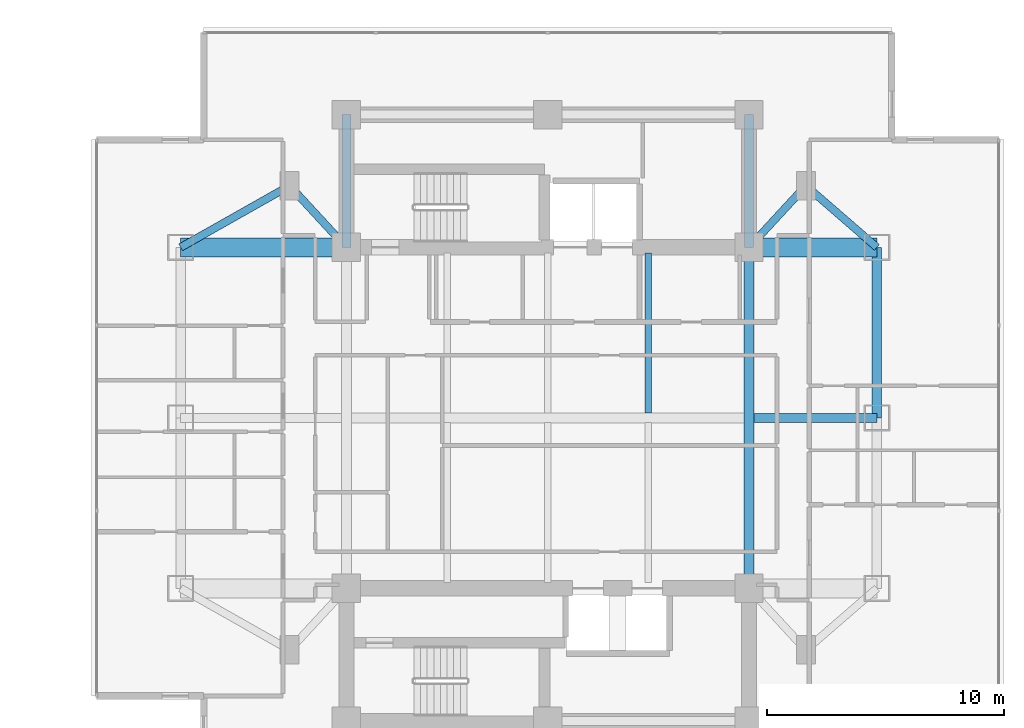
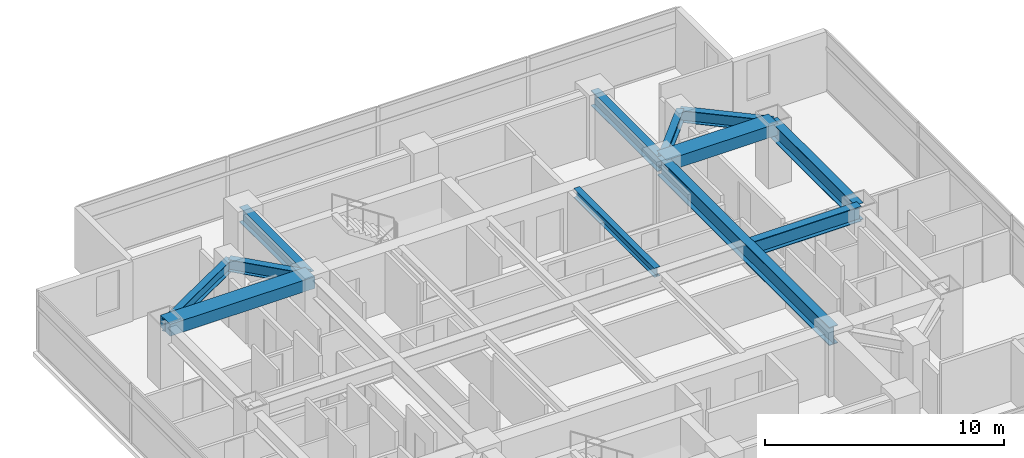
# One storey, part 10 of 26: 12 beams.
"""IFC4 building model written with IfcOpenShell, lengths in metres."""

from ifc_helpers import new_model, si_unit, direction, frame, origin, origin_2d, place, context, subcontext, project, spatial, rectangle, i_section, extrude, material, material_profile, profile_set, type_object, element, save


model = new_model("IFC4")

# Units and contexts
model_context = context("Model", 3, precision=1e-05, world=origin(), true_north=direction((0.0, 1.0)))
body_context = subcontext(model_context, "Body", "Model", "MODEL_VIEW")
ifc_project = project(units=[si_unit("LENGTHUNIT", "METRE"), si_unit("AREAUNIT", "SQUARE_METRE"), si_unit("VOLUMEUNIT", "CUBIC_METRE"), si_unit("PLANEANGLEUNIT", "RADIAN"), si_unit("MASSUNIT", "GRAM", prefix="KILO")], contexts=[model_context])

# Site, building, storey
site_placement = place(None, origin())
site = spatial("IfcSite", under=ifc_project, at=site_placement, CompositionType="ELEMENT")
building_placement = place(site_placement, origin())
building = spatial("IfcBuilding", under=site, at=building_placement, Name="Mirazonda Arch Towers", CompositionType="ELEMENT")
storey_placement = place(building_placement, frame((0.0, 0.0, 114.800048828125)))
storey = spatial("IfcBuildingStorey", under=building, at=storey_placement, Name="L32", CompositionType="ELEMENT", Elevation=114.800048828125)

# Beams
ifc_material_1 = material(Name="Steel ASTM A992 Grade 50", Category="steel")
ifc_material_profile_1 = material_profile(ifc_material_1, i_section(OverallWidth=0.39990234375, OverallDepth=0.85595703125, WebThickness=0.018310546875, FlangeThickness=0.029296875, at=origin_2d()), Name="W33X201")
ifc_profile_set_1 = profile_set([ifc_material_profile_1], Name="Steel ASTM A992 Grade 50")
beam_type_1 = type_object("IfcBeamType", Name="BM-EXT-W33X201", PredefinedType="USERDEFINED", material=ifc_profile_set_1)
beam_1_placement = place(storey_placement, frame((90.39990234375, 28.0, 2.65185546875), z_axis=(0.0, 1.0, 0.0), x_axis=(-1.0, 0.0, 0.0)))
element("IfcBeam", 1, at=beam_1_placement, inside=storey, type_object=beam_type_1, Name="L32 Floor Beam BM-T2-L32-NS-E-28", ObjectType="GIRDER", PredefinedType="USERDEFINED", context=body_context, shape_type="SweptSolid", body=[
    extrude(i_section(OverallWidth=0.39990234375, OverallDepth=0.85595703125, WebThickness=0.018310546875, FlangeThickness=0.029296875, at=origin_2d()), origin(), (0.0, 0.0, 1.0), 7.199951171875),
])
ifc_material_profile_2 = material_profile(ifc_material_1, i_section(OverallWidth=0.280029296875, OverallDepth=0.462890625, WebThickness=0.0107421875, FlangeThickness=0.017333984375, at=origin_2d()), Name="W18X76")
ifc_profile_set_2 = profile_set([ifc_material_profile_2], Name="Steel ASTM A992 Grade 50")
beam_type_2 = type_object("IfcBeamType", Name="BM-INT-W18X76", PredefinedType="JOIST", material=ifc_profile_set_2)
beam_2_placement = place(storey_placement, frame((80.75, 28.205078125, 2.848388671875), z_axis=(0.0, 1.0, 0.0), x_axis=(-1.0, 0.0, 0.0)))
element("IfcBeam", 2, at=beam_2_placement, inside=storey, type_object=beam_type_2, Name="L32 Floor Beam BM-T2-L32-J-807-28", PredefinedType="JOIST", context=body_context, shape_type="SweptSolid", body=[
    extrude(i_section(OverallWidth=0.280029296875, OverallDepth=0.462890625, WebThickness=0.0107421875, FlangeThickness=0.017333984375, at=origin_2d()), origin(), (0.0, 0.0, 1.0), 6.7548828125),
])
ifc_material_profile_3 = material_profile(ifc_material_1, i_section(OverallWidth=0.324951171875, OverallDepth=0.615966796875, WebThickness=0.013916015625, FlangeThickness=0.021484375, at=origin_2d()), Name="W24X117")
ifc_profile_set_3 = profile_set([ifc_material_profile_3], Name="Steel ASTM A992 Grade 50")
beam_type_3 = type_object("IfcBeamType", Name="BM-INT-W24X117", PredefinedType="BEAM", material=ifc_profile_set_3)
beam_3_placement = place(storey_placement, frame((65.60009765625, 37.800048828125, 2.77197265625), z_axis=(0.678251444854, -0.734829897019, 0.0), x_axis=(0.734829897019, 0.678251444854, 0.0)))
element("IfcBeam", 3, at=beam_3_placement, inside=storey, type_object=beam_type_3, Name="L32 Floor Beam BM-T2-L32-PL-NW1", PredefinedType="BEAM", context=body_context, shape_type="SweptSolid", body=[
    extrude(i_section(OverallWidth=0.324951171875, OverallDepth=0.615966796875, WebThickness=0.013916015625, FlangeThickness=0.021484375, at=origin_2d()), origin(), (0.0, 0.0, 1.0), 3.538330078125),
])
beam_4_placement = place(storey_placement, frame((65.60009765625, 37.800048828125, 2.77197265625), z_axis=(-0.870559396632, -0.492063346467, 0.0), x_axis=(0.492063346467, -0.870559396632, 0.0)))
element("IfcBeam", 4, at=beam_4_placement, inside=storey, type_object=beam_type_3, Name="L32 Floor Beam BM-T2-L32-PL-NW2", PredefinedType="BEAM", context=body_context, shape_type="SweptSolid", body=[
    extrude(i_section(OverallWidth=0.324951171875, OverallDepth=0.615966796875, WebThickness=0.013916015625, FlangeThickness=0.021484375, at=origin_2d()), origin(), (0.0, 0.0, 1.0), 5.2841796875),
])
beam_5_placement = place(storey_placement, frame((87.39990234375, 37.800048828125, 2.77197265625), z_axis=(-0.678251444854, -0.734829897019, 0.0), x_axis=(0.734829897019, -0.678251444854, 0.0)))
element("IfcBeam", 5, at=beam_5_placement, inside=storey, type_object=beam_type_3, Name="L32 Floor Beam BM-T2-L32-PL-NE1", PredefinedType="BEAM", context=body_context, shape_type="SweptSolid", body=[
    extrude(i_section(OverallWidth=0.324951171875, OverallDepth=0.615966796875, WebThickness=0.013916015625, FlangeThickness=0.021484375, at=origin_2d()), origin(), (0.0, 0.0, 1.0), 3.538330078125),
])
beam_6_placement = place(storey_placement, frame((87.39990234375, 37.800048828125, 2.77197265625), z_axis=(0.755676908098, -0.654944585876, 0.0), x_axis=(0.654944585876, 0.755676908098, 0.0)))
element("IfcBeam", 6, at=beam_6_placement, inside=storey, type_object=beam_type_3, Name="L32 Floor Beam BM-T2-L32-PL-NE2", PredefinedType="BEAM", context=body_context, shape_type="SweptSolid", body=[
    extrude(i_section(OverallWidth=0.324951171875, OverallDepth=0.615966796875, WebThickness=0.013916015625, FlangeThickness=0.021484375, at=origin_2d()), origin(), (0.0, 0.0, 1.0), 3.969970703125),
])
ifc_material_profile_4 = material_profile(ifc_material_1, i_section(OverallWidth=0.381103515625, OverallDepth=0.77294921875, WebThickness=0.0166015625, FlangeThickness=0.027099609375, at=origin_2d()), Name="W30X173")
ifc_profile_set_4 = profile_set([ifc_material_profile_4], Name="Steel ASTM A992 Grade 50")
beam_type_4 = type_object("IfcBeamType", Name="BM-INT-W30X173", PredefinedType="USERDEFINED", material=ifc_profile_set_4)
for number, where, z_axis, x_axis, name in (
    (7, (68.0, 35.199951171875, 2.693359375), (0.0, 1.0, 0.0), (-1.0, 0.0, 0.0), "L32 Floor Beam BM-T2-L32-CNW"),
    (8, (85.0, 35.199951171875, 2.693359375), (0.0, 1.0, 0.0), (-1.0, 0.0, 0.0), "L32 Floor Beam BM-T2-L32-CNE"),
):
    element("IfcBeam", number, at=place(storey_placement, frame(where, z_axis=z_axis, x_axis=x_axis)), inside=storey, type_object=beam_type_4, Name=name, ObjectType="GIRDER", PredefinedType="USERDEFINED", context=body_context, shape_type="SweptSolid", body=[
        extrude(i_section(OverallWidth=0.381103515625, OverallDepth=0.77294921875, WebThickness=0.0166015625, FlangeThickness=0.027099609375, at=origin_2d()), origin(), (0.0, 0.0, 1.0), 5.60009765625),
    ])
beam_7_placement = place(storey_placement, frame((85.208984375, 28.0, 2.693359375), z_axis=(1.0, 0.0, 0.0), x_axis=(0.0, 1.0, 0.0)))
element("IfcBeam", 9, at=beam_7_placement, inside=storey, type_object=beam_type_4, Name="L32 Floor Beam BM-T2-L32-GE2", ObjectType="GIRDER", PredefinedType="USERDEFINED", context=body_context, shape_type="SweptSolid", body=[
    extrude(i_section(OverallWidth=0.381103515625, OverallDepth=0.77294921875, WebThickness=0.0166015625, FlangeThickness=0.027099609375, at=origin_2d()), origin(), (0.0, 0.0, 1.0), 5.19091796875),
])
ifc_material_profile_5 = material_profile(ifc_material_1, i_section(OverallWidth=0.41796875, OverallDepth=0.927001953125, WebThickness=0.019287109375, FlangeThickness=0.031982421875, at=origin_2d()), Name="W36X231")
ifc_profile_set_5 = profile_set([ifc_material_profile_5], Name="Steel ASTM A992 Grade 50")
beam_type_5 = type_object("IfcBeamType", Name="BM-INT-W36X231", PredefinedType="USERDEFINED", material=ifc_profile_set_5)
beam_8_placement = place(storey_placement, frame((85.0, 20.800048828125, 2.616455078125), z_axis=(0.0, 1.0, 0.0), x_axis=(-1.0, 0.0, 0.0)))
element("IfcBeam", 10, at=beam_8_placement, inside=storey, type_object=beam_type_5, Name="L32 Floor Beam BM-T2-L32-NS-CE-FULL", ObjectType="GIRDER", PredefinedType="USERDEFINED", context=body_context, shape_type="SweptSolid", body=[
    extrude(i_section(OverallWidth=0.41796875, OverallDepth=0.927001953125, WebThickness=0.019287109375, FlangeThickness=0.031982421875, at=origin_2d()), origin(), (0.0, 0.0, 1.0), 14.39990234375),
])
ifc_material_2 = material(Name="Concrete C60/75", Category="concrete")
ifc_material_profile_6 = material_profile(ifc_material_2, rectangle(XDim=0.800048828125, YDim=0.60009765625, at=origin_2d()), Name="RCCB800x600")
ifc_profile_set_6 = profile_set([ifc_material_profile_6], Name="Concrete C60/75")
beam_type_6 = type_object("IfcBeamType", Name="CB-INT-RCCB800x600", PredefinedType="SPANDREL", material=ifc_profile_set_6)
beam_9_placement = place(storey_placement, frame((61.0, 35.199951171875, 2.780029296875), z_axis=(1.0, 0.0, 0.0), x_axis=(0.0, 1.0, 0.0)))
element("IfcBeam", 11, at=beam_9_placement, inside=storey, type_object=beam_type_6, Name="L32 Floor Beam CBC-T2-L32-NW", PredefinedType="SPANDREL", context=body_context, shape_type="SweptSolid", body=[
    extrude(rectangle(XDim=0.800048828125, YDim=0.60009765625, at=origin_2d()), origin(), (0.0, 0.0, 1.0), 7.0),
])
beam_10_placement = place(storey_placement, frame((85.0, 35.199951171875, 2.780029296875), z_axis=(1.0, 0.0, 0.0), x_axis=(0.0, 1.0, 0.0)))
element("IfcBeam", 12, at=beam_10_placement, inside=storey, type_object=beam_type_6, Name="L32 Floor Beam CBC-T2-L32-NE", PredefinedType="SPANDREL", context=body_context, shape_type="SweptSolid", body=[
    extrude(rectangle(XDim=0.800048828125, YDim=0.60009765625, at=origin_2d()), origin(), (0.0, 0.0, 1.0), 5.39990234375),
])

save(model, "model.ifc")
